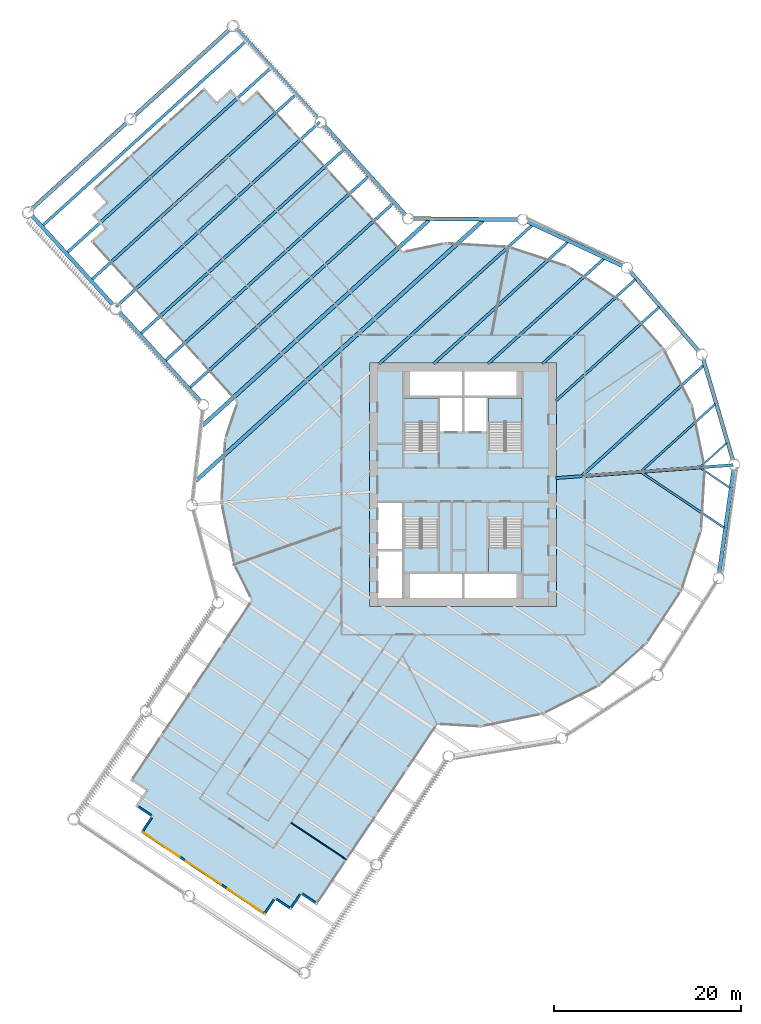
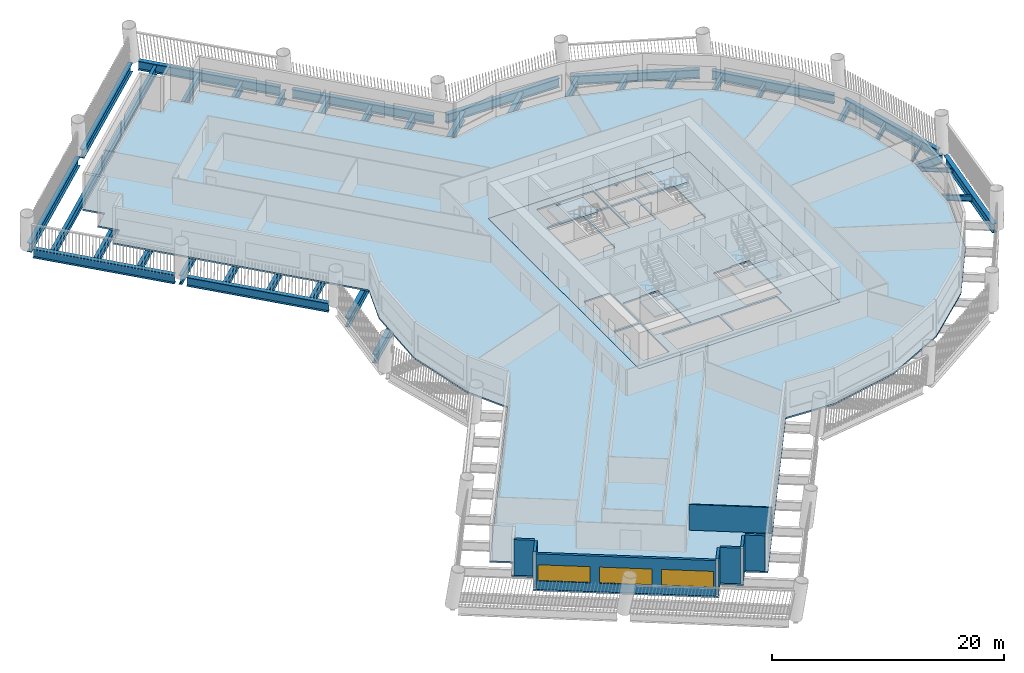
# One storey, part 2 of 15: 31 beams, 8 walls, 6 slabs, 3 windows, 3 openings, 4 elements without a shape of their own.
"""IFC4 building model written with IfcOpenShell, lengths in metres."""

from ifc_helpers import new_model, si_unit, direction, frame, frame_2d, origin, origin_2d, place, context, subcontext, project, spatial, polyline, rectangle, i_section, outline, extrude, material, layer, layer_set, material_profile, profile_set, type_object, element, fill, aggregate, save


model = new_model("IFC4")

# Units and contexts
model_context = context("Model", 3, precision=1e-05, world=origin(), true_north=direction((0.0, 1.0)))
body_context = subcontext(model_context, "Body", "Model", "MODEL_VIEW")
ifc_project = project(units=[si_unit("LENGTHUNIT", "METRE"), si_unit("AREAUNIT", "SQUARE_METRE"), si_unit("VOLUMEUNIT", "CUBIC_METRE"), si_unit("PLANEANGLEUNIT", "RADIAN"), si_unit("MASSUNIT", "GRAM", prefix="KILO")], contexts=[model_context])

# Site, building, storey
site_placement = place(None, origin())
site = spatial("IfcSite", under=ifc_project, at=site_placement, CompositionType="ELEMENT")
building_placement = place(site_placement, origin())
building = spatial("IfcBuilding", under=site, at=building_placement, Name="Tarsis Ring Headquarters", CompositionType="ELEMENT")
storey_placement = place(building_placement, frame((0.0, 0.0, 59.5)))
storey = spatial("IfcBuildingStorey", under=building, at=storey_placement, Name="L12", CompositionType="ELEMENT", Elevation=59.5)

# Beams
ifc_material_1 = material(Name="Structural steel S355", Category="steel")
ifc_material_profile_1 = material_profile(ifc_material_1, i_section(OverallWidth=0.177734375, OverallDepth=0.406494140625, WebThickness=0.0078125, FlangeThickness=0.0126953125, at=origin_2d()), Name="W16x40")
ifc_profile_set_1 = profile_set([ifc_material_profile_1], Name="Structural steel S355")
beam_type_1 = type_object("IfcBeamType", Name="FB Floor beam W16x40", PredefinedType="JOIST", material=ifc_profile_set_1)
for number, where, z_axis, x_axis, name in (
    (1, (25.396484375, 1.771484375, -0.36328125), (0.830984736924, -0.556295215689, 0.0), (0.556295215689, 0.830984736924, 0.0), "Floor beam FB1"),
    (2, (28.15478515625, 4.470947265625, -0.36328125), (-0.740810392553, -0.671714196876, 0.0), (0.671714196876, -0.740810392553, 0.0), "Floor beam FB1"),
):
    element("IfcBeam", number, at=place(storey_placement, frame(where, z_axis=z_axis, x_axis=x_axis)), inside=storey, type_object=beam_type_1, Name=name, PredefinedType="JOIST", context=body_context, shape_type="SweptSolid", body=[
        extrude(i_section(OverallWidth=0.177734375, OverallDepth=0.406494140625, WebThickness=0.0078125, FlangeThickness=0.0126953125, at=origin_2d()), origin(), (0.0, 0.0, 1.0), 3.74169921875),
    ])
ifc_material_profile_2 = material_profile(ifc_material_1, i_section(OverallWidth=0.228271484375, OverallDepth=0.607177734375, WebThickness=0.01123046875, FlangeThickness=0.017333984375, at=origin_2d()), Name="W24x76")
ifc_profile_set_2 = profile_set([ifc_material_profile_2], Name="Structural steel S355")
beam_type_2 = type_object("IfcBeamType", Name="FB Floor beam W24x76", PredefinedType="JOIST", material=ifc_profile_set_2)
for number, where, z_axis, x_axis, name in (
    (3, (19.078857421875, 1.307373046875, -0.463623046875), (0.830991424725, -0.556285225431, 0.0), (0.556285225431, 0.830991424725, 0.0), "Floor beam FB4"),
    (4, (26.93359375, 8.628173828125, -0.463623046875), (-0.740810002689, -0.671714626844, 0.0), (0.671714626844, -0.740810002689, 0.0), "Floor beam FB4"),
):
    element("IfcBeam", number, at=place(storey_placement, frame(where, z_axis=z_axis, x_axis=x_axis)), inside=storey, type_object=beam_type_2, Name=name, PredefinedType="JOIST", context=body_context, shape_type="SweptSolid", body=[
        extrude(i_section(OverallWidth=0.228271484375, OverallDepth=0.607177734375, WebThickness=0.01123046875, FlangeThickness=0.017333984375, at=origin_2d()), origin(), (0.0, 0.0, 1.0), 10.621337890625),
    ])
ifc_material_profile_3 = material_profile(ifc_material_1, i_section(OverallWidth=0.2666015625, OverallDepth=0.7568359375, WebThickness=0.013916015625, FlangeThickness=0.019287109375, at=origin_2d()), Name="W30x108")
ifc_profile_set_3 = profile_set([ifc_material_profile_3], Name="Structural steel S355")
beam_type_3 = type_object("IfcBeamType", Name="FB Floor beam W30x108", PredefinedType="JOIST", material=ifc_profile_set_3)
beam_1_placement = place(storey_placement, frame((20.95947265625, 19.0048828125, -0.538330078125), z_axis=(-0.740800599817, -0.671724996789, 0.0), x_axis=(0.671724996789, -0.740800599817, 0.0)))
element("IfcBeam", 5, at=beam_1_placement, inside=storey, type_object=beam_type_3, Name="Floor beam FB6", PredefinedType="JOIST", context=body_context, shape_type="SweptSolid", body=[
    extrude(i_section(OverallWidth=0.2666015625, OverallDepth=0.7568359375, WebThickness=0.013916015625, FlangeThickness=0.019287109375, at=origin_2d()), origin(), (0.0, 0.0, 1.0), 14.89404296875),
])
beam_2_placement = place(storey_placement, frame((18.414794921875, 21.962158203125, -0.538330078125), z_axis=(-0.740799112116, -0.671726637471, 0.0), x_axis=(0.671726637471, -0.740799112116, 0.0)))
element("IfcBeam", 6, at=beam_2_placement, inside=storey, type_object=beam_type_3, Name="Floor beam FB6", PredefinedType="JOIST", context=body_context, shape_type="SweptSolid", body=[
    extrude(i_section(OverallWidth=0.2666015625, OverallDepth=0.7568359375, WebThickness=0.013916015625, FlangeThickness=0.019287109375, at=origin_2d()), origin(), (0.0, 0.0, 1.0), 13.44189453125),
])
ifc_material_profile_4 = material_profile(ifc_material_1, i_section(OverallWidth=0.2919921875, OverallDepth=0.835693359375, WebThickness=0.013916015625, FlangeThickness=0.018798828125, at=origin_2d()), Name="W33x118")
ifc_profile_set_4 = profile_set([ifc_material_profile_4], Name="Structural steel S355")
beam_type_4 = type_object("IfcBeamType", Name="FB Floor beam W33x118", PredefinedType="JOIST", material=ifc_profile_set_4)
beam_3_placement = place(storey_placement, frame((25.712158203125, 12.785400390625, -0.577880859375), z_axis=(-0.740803624908, -0.671721660602, 0.0), x_axis=(0.671721660602, -0.740803624908, 0.0)))
element("IfcBeam", 7, at=beam_3_placement, inside=storey, type_object=beam_type_4, Name="Floor beam FB7", PredefinedType="JOIST", context=body_context, shape_type="SweptSolid", body=[
    extrude(i_section(OverallWidth=0.2919921875, OverallDepth=0.835693359375, WebThickness=0.013916015625, FlangeThickness=0.018798828125, at=origin_2d()), origin(), (0.0, 0.0, 1.0), 17.500732421875),
])
beam_4_placement = place(storey_placement, frame((15.056396484375, 24.181396484375, -0.577880859375), z_axis=(-0.740807606045, -0.671717270008, 0.0), x_axis=(0.671717270008, -0.740807606045, 0.0)))
element("IfcBeam", 8, at=beam_4_placement, inside=storey, type_object=beam_type_4, Name="Floor beam FB7", PredefinedType="JOIST", context=body_context, shape_type="SweptSolid", body=[
    extrude(i_section(OverallWidth=0.2919921875, OverallDepth=0.835693359375, WebThickness=0.013916015625, FlangeThickness=0.018798828125, at=origin_2d()), origin(), (0.0, 0.0, 1.0), 16.745849609375),
])
ifc_material_profile_5 = material_profile(ifc_material_1, i_section(OverallWidth=0.3046875, OverallDepth=0.904296875, WebThickness=0.01513671875, FlangeThickness=0.02001953125, at=origin_2d()), Name="W36x135")
ifc_profile_set_5 = profile_set([ifc_material_profile_5], Name="Structural steel S355")
beam_type_5 = type_object("IfcBeamType", Name="FB Floor beam W36x135", PredefinedType="JOIST", material=ifc_profile_set_5)
beam_5_placement = place(storey_placement, frame((11.218994140625, 25.96630859375, -0.612060546875), z_axis=(-0.740807706962, -0.67171715871, 0.0), x_axis=(0.67171715871, -0.740807706962, 0.0)))
element("IfcBeam", 9, at=beam_5_placement, inside=storey, type_object=beam_type_5, Name="Floor beam FB8", PredefinedType="JOIST", context=body_context, shape_type="SweptSolid", body=[
    extrude(i_section(OverallWidth=0.3046875, OverallDepth=0.904296875, WebThickness=0.01513671875, FlangeThickness=0.02001953125, at=origin_2d()), origin(), (0.0, 0.0, 1.0), 19.403076171875),
])
ifc_material_profile_6 = material_profile(ifc_material_1, i_section(OverallWidth=0.3046875, OverallDepth=0.91943359375, WebThickness=0.017333984375, FlangeThickness=0.02783203125, at=origin_2d()), Name="W36x170")
ifc_profile_set_6 = profile_set([ifc_material_profile_6], Name="Structural steel S355")
beam_type_6 = type_object("IfcBeamType", Name="FB Floor beam W36x170", PredefinedType="JOIST", material=ifc_profile_set_6)
beam_6_placement = place(storey_placement, frame((7.38134765625, 27.751220703125, -0.61962890625), z_axis=(-0.740802790076, -0.671722581291, 0.0), x_axis=(0.671722581291, -0.740802790076, 0.0)))
element("IfcBeam", 10, at=beam_6_placement, inside=storey, type_object=beam_type_6, Name="Floor beam FB9", PredefinedType="JOIST", context=body_context, shape_type="SweptSolid", body=[
    extrude(i_section(OverallWidth=0.3046875, OverallDepth=0.91943359375, WebThickness=0.017333984375, FlangeThickness=0.02783203125, at=origin_2d()), origin(), (0.0, 0.0, 1.0), 22.060302734375),
])
ifc_material_profile_7 = material_profile(ifc_material_1, i_section(OverallWidth=0.309814453125, OverallDepth=0.949951171875, WebThickness=0.0244140625, FlangeThickness=0.0439453125, at=origin_2d()), Name="W36x256")
ifc_profile_set_7 = profile_set([ifc_material_profile_7], Name="Structural steel S355")
beam_type_7 = type_object("IfcBeamType", Name="FB Floor beam W36x256", PredefinedType="JOIST", material=ifc_profile_set_7)
beam_7_placement = place(storey_placement, frame((-7.45703125, 30.090087890625, -0.635009765625), z_axis=(-0.740807033468, -0.671717901476, 0.0), x_axis=(0.671717901476, -0.740807033468, 0.0)))
element("IfcBeam", 11, at=beam_7_placement, inside=storey, type_object=beam_type_7, Name="Floor beam FB11", PredefinedType="JOIST", context=body_context, shape_type="SweptSolid", body=[
    extrude(i_section(OverallWidth=0.309814453125, OverallDepth=0.949951171875, WebThickness=0.0244140625, FlangeThickness=0.0439453125, at=origin_2d()), origin(), (0.0, 0.0, 1.0), 29.375732421875),
])
for number, where, z_axis, x_axis, name in (
    (12, (-10.076904296875, 32.979248046875, -0.635009765625), (-0.740802897825, -0.67172246246, 0.0), (0.67172246246, -0.740802897825, 0.0), "Floor beam FB11"),
    (13, (-12.696533203125, 35.868408203125, -0.635009765625), (-0.740802897825, -0.67172246246, 0.0), (0.67172246246, -0.740802897825, 0.0), "Floor beam FB11"),
    (14, (-15.316162109375, 38.757568359375, -0.635009765625), (-0.740802897825, -0.67172246246, 0.0), (0.67172246246, -0.740802897825, 0.0), "Floor beam FB11"),
    (15, (-17.93603515625, 41.646728515625, -0.635009765625), (-0.740802897825, -0.67172246246, 0.0), (0.67172246246, -0.740802897825, 0.0), "Floor beam FB11"),
    (16, (-20.5556640625, 44.535888671875, -0.635009765625), (-0.740802897825, -0.67172246246, 0.0), (0.67172246246, -0.740802897825, 0.0), "Floor beam FB11"),
    (17, (-23.17529296875, 47.425048828125, -0.635009765625), (-0.740802897825, -0.67172246246, 0.0), (0.67172246246, -0.740802897825, 0.0), "Floor beam FB11"),
):
    element("IfcBeam", number, at=place(storey_placement, frame(where, z_axis=z_axis, x_axis=x_axis)), inside=storey, type_object=beam_type_7, Name=name, PredefinedType="JOIST", context=body_context, shape_type="SweptSolid", body=[
        extrude(i_section(OverallWidth=0.309814453125, OverallDepth=0.949951171875, WebThickness=0.0244140625, FlangeThickness=0.0439453125, at=origin_2d()), origin(), (0.0, 0.0, 1.0), 29.3759765625),
    ])
beam_type_8 = type_object("IfcBeamType", Name="FB Floor beam W36x256 spine", PredefinedType="BEAM", material=ifc_profile_set_7)
beam_8_placement = place(storey_placement, frame((28.853759765625, 2.118896484375, -0.635009765625), z_axis=(-0.99731448769, -0.07323805462, 0.0), x_axis=(0.07323805462, -0.99731448769, 0.0)))
element("IfcBeam", 18, at=beam_8_placement, inside=storey, type_object=beam_type_8, Name="Floor beam SB11", PredefinedType="BEAM", context=body_context, shape_type="SweptSolid", body=[
    extrude(i_section(OverallWidth=0.309814453125, OverallDepth=0.949951171875, WebThickness=0.0244140625, FlangeThickness=0.0439453125, at=origin_2d()), origin(), (0.0, 0.0, 1.0), 19.00439453125),
])
ifc_material_profile_8 = material_profile(ifc_material_1, i_section(OverallWidth=0.42431640625, OverallDepth=0.947509765625, WebThickness=0.02392578125, FlangeThickness=0.042724609375, at=origin_2d()), Name="W36x302")
ifc_profile_set_8 = profile_set([ifc_material_profile_8], Name="Structural steel S355")
beam_type_9 = type_object("IfcBeamType", Name="FB Floor beam W36x302", PredefinedType="JOIST", material=ifc_profile_set_8)
beam_9_placement = place(storey_placement, frame((2.1044921875, 28.23095703125, -0.6337890625), z_axis=(-0.740802861175, -0.671722502879, 0.0), x_axis=(0.671722502879, -0.740802861175, 0.0)))
element("IfcBeam", 19, at=beam_9_placement, inside=storey, type_object=beam_type_9, Name="Floor beam FB12", PredefinedType="JOIST", context=body_context, shape_type="SweptSolid", body=[
    extrude(i_section(OverallWidth=0.42431640625, OverallDepth=0.947509765625, WebThickness=0.02392578125, FlangeThickness=0.042724609375, at=origin_2d()), origin(), (0.0, 0.0, 1.0), 41.35302734375),
])
beam_10_placement = place(storey_placement, frame((-3.63525390625, 28.291015625, -0.6337890625), z_axis=(-0.740806887566, -0.671718062386, 0.0), x_axis=(0.671718062386, -0.740806887566, 0.0)))
element("IfcBeam", 20, at=beam_10_placement, inside=storey, type_object=beam_type_9, Name="Floor beam FB12", PredefinedType="JOIST", context=body_context, shape_type="SweptSolid", body=[
    extrude(i_section(OverallWidth=0.42431640625, OverallDepth=0.947509765625, WebThickness=0.02392578125, FlangeThickness=0.042724609375, at=origin_2d()), origin(), (0.0, 0.0, 1.0), 32.70458984375),
])
beam_type_10 = type_object("IfcBeamType", Name="XG Ring girder W36x302", PredefinedType="BEAM", material=ifc_profile_set_8)
for number, where, z_axis, x_axis, name in (
    (21, (27.347900390625, -9.459716796875, -0.4736328125), (0.13868992914, 0.990335853918, 0.0), (-0.990335853918, 0.13868992914, 0.0), "Ring girder XG1"),
    (22, (28.81591796875, 2.65380859375, -0.4736328125), (-0.281869990586, 0.959452608734, 0.0), (-0.959452608734, -0.281869990586, 0.0), "Ring girder XG1"),
    (23, (25.16015625, 14.295654296875, -0.4736328125), (-0.652279359145, 0.757978652492, 0.0), (-0.757978652492, -0.652279359145, 0.0), "Ring girder XG1"),
    (24, (17.031005859375, 23.3955078125, -0.4736328125), (-0.906727147114, 0.421717773737, 0.0), (-0.421717773737, -0.906727147114, 0.0), "Ring girder XG1"),
):
    element("IfcBeam", number, at=place(storey_placement, frame(where, z_axis=z_axis, x_axis=x_axis)), inside=storey, type_object=beam_type_10, Name=name, PredefinedType="BEAM", context=body_context, shape_type="SweptSolid", body=[
        extrude(i_section(OverallWidth=0.42431640625, OverallDepth=0.947509765625, WebThickness=0.02392578125, FlangeThickness=0.042724609375, at=origin_2d()), origin(), (0.0, 0.0, 1.0), 11.151611328125),
    ])
beam_11_placement = place(storey_placement, frame((5.87353515625, 28.33544921875, -0.4736328125), z_axis=(-0.99994501451, 0.010486560743, 0.0), x_axis=(-0.010486560743, -0.99994501451, 0.0)))
element("IfcBeam", 25, at=beam_11_placement, inside=storey, type_object=beam_type_10, Name="Ring girder XG1", PredefinedType="BEAM", context=body_context, shape_type="SweptSolid", body=[
    extrude(i_section(OverallWidth=0.42431640625, OverallDepth=0.947509765625, WebThickness=0.02392578125, FlangeThickness=0.042724609375, at=origin_2d()), origin(), (0.0, 0.0, 1.0), 11.15185546875),
])
for number, where, z_axis, x_axis, name in (
    (26, (-6.194580078125, 28.86474609375, -0.4736328125), (-0.671724190388, 0.740801331025, 0.0), (-0.740801331025, -0.671724190388, 0.0), "Ring girder XG1"),
    (27, (-15.532958984375, 39.16357421875, -0.4736328125), (-0.671734653507, 0.74079184342, 0.0), (-0.74079184342, -0.671734653507, 0.0), "Ring girder XG1"),
):
    element("IfcBeam", number, at=place(storey_placement, frame(where, z_axis=z_axis, x_axis=x_axis)), inside=storey, type_object=beam_type_10, Name=name, PredefinedType="BEAM", context=body_context, shape_type="SweptSolid", body=[
        extrude(i_section(OverallWidth=0.42431640625, OverallDepth=0.947509765625, WebThickness=0.02392578125, FlangeThickness=0.042724609375, at=origin_2d()), origin(), (0.0, 0.0, 1.0), 12.804931640625),
    ])
for number, where, z_axis, x_axis, name in (
    (28, (-24.909423828125, 48.6875, -0.4736328125), (-0.740792433968, -0.671734002248, 0.0), (0.671734002248, -0.740792433968, 0.0), "Ring girder XG1"),
    (29, (-35.873291015625, 38.745849609375, -0.4736328125), (-0.740809339167, -0.671715358617, 0.0), (0.671715358617, -0.740809339167, 0.0), "Ring girder XG1"),
):
    element("IfcBeam", number, at=place(storey_placement, frame(where, z_axis=z_axis, x_axis=x_axis)), inside=storey, type_object=beam_type_10, Name=name, PredefinedType="BEAM", context=body_context, shape_type="SweptSolid", body=[
        extrude(i_section(OverallWidth=0.42431640625, OverallDepth=0.947509765625, WebThickness=0.02392578125, FlangeThickness=0.042724609375, at=origin_2d()), origin(), (0.0, 0.0, 1.0), 13.70263671875),
    ])
for number, where, z_axis, x_axis, name in (
    (30, (-46.062255859375, 28.7666015625, -0.4736328125), (0.671714702814, -0.740809933804, 0.0), (0.740809933804, 0.671714702814, 0.0), "Ring girder XG1"),
    (31, (-36.723876953125, 18.4677734375, -0.4736328125), (0.671714702814, -0.740809933804, 0.0), (0.740809933804, 0.671714702814, 0.0), "Ring girder XG1"),
):
    element("IfcBeam", number, at=place(storey_placement, frame(where, z_axis=z_axis, x_axis=x_axis)), inside=storey, type_object=beam_type_10, Name=name, PredefinedType="BEAM", context=body_context, shape_type="SweptSolid", body=[
        extrude(i_section(OverallWidth=0.42431640625, OverallDepth=0.947509765625, WebThickness=0.02392578125, FlangeThickness=0.042724609375, at=origin_2d()), origin(), (0.0, 0.0, 1.0), 12.804931640625),
    ])

# Slab
ifc_material_2 = material(Name="Concrete C40/50", Category="concrete")
ifc_layer_1 = layer(ifc_material_2, 0.159912109375)
ifc_layer_set_1 = layer_set([ifc_layer_1], Name="Core floor slab 160 C40/50")
slab_type_1 = type_object("IfcSlabType", Name="Core floor slab 160 C40/50", PredefinedType="FLOOR", material=ifc_layer_set_1)
slab_1_placement = place(storey_placement, frame((0.0, 0.0, -0.159912109375)))
element("IfcSlab", 32, at=slab_1_placement, inside=storey, type_object=slab_type_1, Name="L12 core floor slab", PredefinedType="FLOOR", context=body_context, shape_type="SweptSolid", body=[
    extrude(outline(polyline([(-10.0, -13.0), (10.0, -13.0), (10.0, 13.0), (-10.0, 13.0), (-10.0, -13.0)]), holes=[polyline([(-2.5, 5.699951171875), (-0.10009765625, 5.699951171875), (-0.10009765625, 9.300048828125), (-2.5, 9.300048828125), (-2.5, 5.699951171875)]), polyline([(0.10009765625, 5.699951171875), (2.5, 5.699951171875), (2.5, 9.300048828125), (0.10009765625, 9.300048828125), (0.10009765625, 5.699951171875)]), polyline([(-9.10009765625, -12.10009765625), (-6.5, -12.10009765625), (-6.5, -7.10009765625), (-9.10009765625, -7.10009765625), (-9.10009765625, -12.10009765625)]), polyline([(-9.10009765625, -6.89990234375), (-6.5, -6.89990234375), (-6.5, -1.89990234375), (-9.10009765625, -1.89990234375), (-9.10009765625, -6.89990234375)]), polyline([(-5.699951171875, 9.5), (-0.10009765625, 9.5), (-0.10009765625, 12.10009765625), (-5.699951171875, 12.10009765625), (-5.699951171875, 9.5)]), polyline([(0.10009765625, 9.5), (5.699951171875, 9.5), (5.699951171875, 12.10009765625), (0.10009765625, 12.10009765625), (0.10009765625, 9.5)]), polyline([(-5.699951171875, -12.10009765625), (-0.10009765625, -12.10009765625), (-0.10009765625, -9.5), (-5.699951171875, -9.5), (-5.699951171875, -12.10009765625)]), polyline([(0.10009765625, -12.10009765625), (5.699951171875, -12.10009765625), (5.699951171875, -9.5), (0.10009765625, -9.5), (0.10009765625, -12.10009765625)]), polyline([(-2.699951171875, 3.760009765625), (-2.699951171875, 9.300048828125), (-6.300048828125, 9.300048828125), (-6.300048828125, 3.659912109375), (-4.4599609375, 3.659912109375), (-4.4599609375, 3.760009765625), (-2.699951171875, 3.760009765625)]), polyline([(6.300048828125, 3.760009765625), (6.300048828125, 9.300048828125), (2.699951171875, 9.300048828125), (2.699951171875, 3.659912109375), (4.5400390625, 3.659912109375), (4.5400390625, 3.760009765625), (6.300048828125, 3.760009765625)]), polyline([(-6.300048828125, -3.760009765625), (-6.300048828125, -9.300048828125), (-2.699951171875, -9.300048828125), (-2.699951171875, -3.659912109375), (-4.5400390625, -3.659912109375), (-4.5400390625, -3.760009765625), (-6.300048828125, -3.760009765625)]), polyline([(2.699951171875, -3.760009765625), (2.699951171875, -9.300048828125), (6.300048828125, -9.300048828125), (6.300048828125, -3.659912109375), (4.4599609375, -3.659912109375), (4.4599609375, -3.760009765625), (2.699951171875, -3.760009765625)])]), origin(), (0.0, 0.0, 1.0), 0.159912109375),
])

# Stair, slab
ifc_material_3 = material(Name="Core stair 1760")
stair_type = type_object("IfcStairType", Name="Core stair 1760", PredefinedType="HALF_TURN_STAIR", material=ifc_material_3)
stair_1_placement = place(storey_placement, origin())
stair_1 = element("IfcStair", 33, at=stair_1_placement, inside=storey, type_object=stair_type, Name="L12 Firefighting stair", PredefinedType="HALF_TURN_STAIR")
ifc_layer_2 = layer(ifc_material_2, 0.199951171875)
ifc_layer_set_2 = layer_set([ifc_layer_2], Name="Core stair landing 200")
slab_type_2 = type_object("IfcSlabType", Name="Core stair landing 200", PredefinedType="LANDING", material=ifc_layer_set_2)
slab_2_placement = place(storey_placement, frame((0.0, 0.0, 1.75)))
slab_2 = element("IfcSlab", 34, at=slab_2_placement, type_object=slab_type_2, Name="Stair ST1 landing 1", PredefinedType="LANDING", context=body_context, shape_type="SweptSolid", body=[
    extrude(outline(polyline([(-2.699951171875, 6.739990234375), (-2.699951171875, 9.300048828125), (-6.300048828125, 9.300048828125), (-6.300048828125, 6.739990234375), (-2.699951171875, 6.739990234375)])), origin(), (0.0, 0.0, 1.0), 0.199951171875),
])
aggregate(stair_1, [slab_2])

stair_2_placement = place(storey_placement, origin())
stair_2 = element("IfcStair", 35, at=stair_2_placement, inside=storey, type_object=stair_type, Name="L12 Exit stair B", PredefinedType="HALF_TURN_STAIR")
slab_3_placement = place(storey_placement, frame((0.0, 0.0, 1.75)))
slab_3 = element("IfcSlab", 36, at=slab_3_placement, type_object=slab_type_2, Name="Stair ST2 landing 1", PredefinedType="LANDING", context=body_context, shape_type="SweptSolid", body=[
    extrude(outline(polyline([(6.300048828125, 6.739990234375), (6.300048828125, 9.300048828125), (2.699951171875, 9.300048828125), (2.699951171875, 6.739990234375), (6.300048828125, 6.739990234375)])), origin(), (0.0, 0.0, 1.0), 0.199951171875),
])
aggregate(stair_2, [slab_3])

stair_3_placement = place(storey_placement, origin())
stair_3 = element("IfcStair", 37, at=stair_3_placement, inside=storey, type_object=stair_type, Name="L12 Exit stair C", PredefinedType="HALF_TURN_STAIR")
slab_4_placement = place(storey_placement, frame((0.0, 0.0, 1.75)))
slab_4 = element("IfcSlab", 38, at=slab_4_placement, type_object=slab_type_2, Name="Stair ST3 landing 1", PredefinedType="LANDING", context=body_context, shape_type="SweptSolid", body=[
    extrude(outline(polyline([(-6.300048828125, -6.739990234375), (-6.300048828125, -9.300048828125), (-2.699951171875, -9.300048828125), (-2.699951171875, -6.739990234375), (-6.300048828125, -6.739990234375)])), origin(), (0.0, 0.0, 1.0), 0.199951171875),
])
aggregate(stair_3, [slab_4])

stair_4_placement = place(storey_placement, origin())
stair_4 = element("IfcStair", 39, at=stair_4_placement, inside=storey, type_object=stair_type, Name="L12 Exit stair D", PredefinedType="HALF_TURN_STAIR")
slab_5_placement = place(storey_placement, frame((0.0, 0.0, 1.75)))
slab_5 = element("IfcSlab", 40, at=slab_5_placement, type_object=slab_type_2, Name="Stair ST4 landing 1", PredefinedType="LANDING", context=body_context, shape_type="SweptSolid", body=[
    extrude(outline(polyline([(2.699951171875, -6.739990234375), (2.699951171875, -9.300048828125), (6.300048828125, -9.300048828125), (6.300048828125, -6.739990234375), (2.699951171875, -6.739990234375)])), origin(), (0.0, 0.0, 1.0), 0.199951171875),
])
aggregate(stair_4, [slab_5])

# Slab
ifc_material_4 = material(Name="Concrete C35/45", Category="concrete")
ifc_layer_3 = layer(ifc_material_4, 0.159912109375)
ifc_layer_set_3 = layer_set([ifc_layer_3], Name="FS Composite floor slab 160")
slab_type_3 = type_object("IfcSlabType", Name="FS Composite floor slab 160", PredefinedType="FLOOR", material=ifc_layer_set_3)
slab_6_placement = place(storey_placement, frame((0.0, 0.0, -0.159912109375)))
element("IfcSlab", 41, at=slab_6_placement, inside=storey, type_object=slab_type_3, Name="Floor slab L12", PredefinedType="FLOOR", context=body_context, shape_type="SweptSolid", body=[
    extrude(outline(polyline([(-24.2236328125, 8.850341796875), (-25.53955078125, 4.871826171875), (-25.93017578125, -1.904296875), (-24.5537109375, -8.550537109375), (-22.6708984375, -12.294189453125), (-35.5615234375, -31.5498046875), (-33.8994140625, -32.662353515625), (-35.011962890625, -34.32421875), (-33.35009765625, -35.43701171875), (-34.462646484375, -37.098876953125), (-21.1669921875, -45.99951171875), (-20.05419921875, -44.337646484375), (-18.392333984375, -45.4501953125), (-17.27978515625, -43.788330078125), (-15.61767578125, -44.90087890625), (-2.73876953125, -25.662353515625), (1.904296875, -25.93017578125), (8.550537109375, -24.5537109375), (14.6142578125, -21.504150390625), (19.681884765625, -16.989013671875), (23.408203125, -11.31591796875), (25.53955078125, -4.871826171875), (25.93017578125, 1.904296875), (24.5537109375, 8.550537109375), (21.504150390625, 14.6142578125), (16.989013671875, 19.681884765625), (11.31591796875, 23.408203125), (4.871826171875, 25.53955078125), (-1.904296875, 25.93017578125), (-6.458251953125, 24.987060546875), (-22.009521484375, 42.1376953125), (-23.4912109375, 40.794189453125), (-24.83447265625, 42.27587890625), (-26.316162109375, 40.932373046875), (-27.65966796875, 42.4140625), (-39.512451171875, 31.66650390625), (-38.1689453125, 30.184814453125), (-39.650634765625, 28.84130859375), (-38.30712890625, 27.35986328125), (-39.788818359375, 26.016357421875), (-24.2236328125, 8.850341796875)]), holes=[polyline([(-10.0, -13.0), (-10.0, 13.0), (10.0, 13.0), (10.0, -13.0), (-10.0, -13.0)])]), origin(), (0.0, 0.0, 1.0), 0.159912109375),
])

# Walls
ifc_material_5 = material(Name="Gypsum board on steel studs", Category="steel")
ifc_layer_4 = layer(ifc_material_5, 0.10009765625)
ifc_layer_set_4 = layer_set([ifc_layer_4], Name="FL partition 100 unrated")
wall_type_1 = type_object("IfcWallType", Name="FL partition 100 unrated", PredefinedType="PARTITIONING", material=ifc_layer_set_4)
wall_1_placement = place(storey_placement, frame((-18.36328125, -36.09521484375, 0.0), z_axis=(0.0, 0.0, 1.0), x_axis=(0.830984627552, -0.556295379068, 0.0)))
element("IfcWall", 42, at=wall_1_placement, inside=storey, type_object=wall_type_1, Name="Partition PW3", PredefinedType="PARTITIONING", context=body_context, shape_type="SweptSolid", body=[
    extrude(rectangle(XDim=7.1298828125, YDim=0.10009765625, at=frame_2d((3.56494140625, 0.0))), origin(), (0.0, 0.0, 1.0), 2.699951171875),
])
ifc_material_6 = material(Name="Terracotta clad insulated panel wall", Category="masonry")
ifc_layer_5 = layer(ifc_material_6, 0.25)
ifc_layer_set_5 = layer_set([ifc_layer_5], Name="Facade wall terracotta panel 250")
wall_type_2 = type_object("IfcWallType", Name="Facade wall terracotta panel 250", PredefinedType="STANDARD", material=ifc_layer_set_5)
wall_2_placement = place(storey_placement, frame((-34.73486328125, -34.359619140625, 0.0), z_axis=(0.0, 0.0, 1.0), x_axis=(0.831040179262, -0.556212387899, 0.0)))
element("IfcWall", 43, at=wall_2_placement, inside=storey, type_object=wall_type_2, Name="External wall L12-09", PredefinedType="STANDARD", context=body_context, shape_type="SweptSolid", body=[
    extrude(rectangle(XDim=1.75, YDim=0.25, at=frame_2d((0.875, 0.0))), origin(), (0.0, 0.0, 1.0), 3.739990234375),
])
wall_3_placement = place(storey_placement, frame((-33.24609375, -35.50634765625, 0.0), z_axis=(0.0, 0.0, 1.0), x_axis=(-0.556308723745, -0.830975693919, 0.0)))
element("IfcWall", 44, at=wall_3_placement, inside=storey, type_object=wall_type_2, Name="External wall L12-10", PredefinedType="STANDARD", context=body_context, shape_type="SweptSolid", body=[
    extrude(rectangle(XDim=1.750244140625, YDim=0.25, at=frame_2d((0.875, 0.0))), origin(), (0.0, 0.0, 1.0), 3.739990234375),
])

# Wall, openings, windows
wall_4_placement = place(storey_placement, frame((-34.185302734375, -37.134033203125, 0.0), z_axis=(0.0, 0.0, 1.0), x_axis=(0.83098252668, -0.556298517302, 0.0)))
wall_4 = element("IfcWall", 45, at=wall_4_placement, inside=storey, type_object=wall_type_2, Name="External wall L12-11", PredefinedType="STANDARD", context=body_context, shape_type="SweptSolid", body=[
    extrude(rectangle(XDim=15.499755859375, YDim=0.25, at=frame_2d((7.75, 0.0))), origin(), (0.0, 0.0, 1.0), 3.739990234375),
])
opening_1_placement = place(wall_4_placement, frame((0.166748046875, 0.0, 0.89990234375)))
opening_1 = element("IfcOpeningElement", 46, at=opening_1_placement, cuts=wall_4, Name="Opening WN04", PredefinedType="OPENING", context=body_context, shape_type="SweptSolid", body=[
    extrude(rectangle(XDim=4.5, YDim=1.699951171875, at=frame_2d((2.25, 0.85009765625))), frame((0.0, 0.135009765625, 0.0), z_axis=(0.0, -1.0, 0.0), x_axis=(1.0, 0.0, 0.0)), (0.0, 0.0, 1.0), 0.27001953125),
])
opening_2_placement = place(wall_4_placement, frame((5.5, 0.0, 0.89990234375)))
opening_2 = element("IfcOpeningElement", 47, at=opening_2_placement, cuts=wall_4, Name="Opening WN04", PredefinedType="OPENING", context=body_context, shape_type="SweptSolid", body=[
    extrude(rectangle(XDim=4.5, YDim=1.699951171875, at=frame_2d((2.25, 0.85009765625))), frame((0.0, 0.135009765625, 0.0), z_axis=(0.0, -1.0, 0.0), x_axis=(1.0, 0.0, 0.0)), (0.0, 0.0, 1.0), 0.27001953125),
])
opening_3_placement = place(wall_4_placement, frame((10.833251953125, 0.0, 0.89990234375)))
opening_3 = element("IfcOpeningElement", 48, at=opening_3_placement, cuts=wall_4, Name="Opening WN04", PredefinedType="OPENING", context=body_context, shape_type="SweptSolid", body=[
    extrude(rectangle(XDim=4.5, YDim=1.699951171875, at=frame_2d((2.25, 0.85009765625))), frame((0.0, 0.135009765625, 0.0), z_axis=(0.0, -1.0, 0.0), x_axis=(1.0, 0.0, 0.0)), (0.0, 0.0, 1.0), 0.27001953125),
])
ifc_material_7 = material(Name="Aluminium framed double glazing", Category="aluminium")
window_type = type_object("IfcWindowType", Name="Facade window 4500 x 1700", PartitioningType="SINGLE_PANEL", PredefinedType="WINDOW", material=ifc_material_7)
window_1_placement = place(opening_1_placement, origin())
window_1 = element("IfcWindow", 49, at=window_1_placement, inside=storey, type_object=window_type, Name="Window L12-11.1", OverallHeight=1.699951171875, OverallWidth=4.5, PartitioningType="SINGLE_PANEL", PredefinedType="WINDOW", context=body_context, shape_type="SweptSolid", body=[
    extrude(rectangle(XDim=4.5, YDim=1.699951171875, at=frame_2d((2.25, 0.85009765625))), frame((0.0, 0.030029296875, 0.0), z_axis=(0.0, -1.0, 0.0), x_axis=(1.0, 0.0, 0.0)), (0.0, 0.0, 1.0), 0.06005859375),
])
fill(opening_1, window_1)
window_2_placement = place(opening_2_placement, origin())
window_2 = element("IfcWindow", 50, at=window_2_placement, inside=storey, type_object=window_type, Name="Window L12-11.2", OverallHeight=1.699951171875, OverallWidth=4.5, PartitioningType="SINGLE_PANEL", PredefinedType="WINDOW", context=body_context, shape_type="SweptSolid", body=[
    extrude(rectangle(XDim=4.5, YDim=1.699951171875, at=frame_2d((2.25, 0.85009765625))), frame((0.0, 0.030029296875, 0.0), z_axis=(0.0, -1.0, 0.0), x_axis=(1.0, 0.0, 0.0)), (0.0, 0.0, 1.0), 0.06005859375),
])
fill(opening_2, window_2)
window_3_placement = place(opening_3_placement, origin())
window_3 = element("IfcWindow", 51, at=window_3_placement, inside=storey, type_object=window_type, Name="Window L12-11.3", OverallHeight=1.699951171875, OverallWidth=4.5, PartitioningType="SINGLE_PANEL", PredefinedType="WINDOW", context=body_context, shape_type="SweptSolid", body=[
    extrude(rectangle(XDim=4.5, YDim=1.699951171875, at=frame_2d((2.25, 0.85009765625))), frame((0.0, 0.030029296875, 0.0), z_axis=(0.0, -1.0, 0.0), x_axis=(1.0, 0.0, 0.0)), (0.0, 0.0, 1.0), 0.06005859375),
])
fill(opening_3, window_3)

# Walls
wall_5_placement = place(storey_placement, frame((-21.131591796875, -45.722412109375, 0.0), z_axis=(0.0, 0.0, 1.0), x_axis=(0.556212387899, 0.831040179262, 0.0)))
element("IfcWall", 52, at=wall_5_placement, inside=storey, type_object=wall_type_2, Name="External wall L12-12", PredefinedType="STANDARD", context=body_context, shape_type="SweptSolid", body=[
    extrude(rectangle(XDim=1.75, YDim=0.25, at=frame_2d((0.875, 0.0))), origin(), (0.0, 0.0, 1.0), 3.739990234375),
])
wall_6_placement = place(storey_placement, frame((-19.98486328125, -44.233642578125, 0.0), z_axis=(0.0, 0.0, 1.0), x_axis=(0.830975693919, -0.556308723745, 0.0)))
element("IfcWall", 53, at=wall_6_placement, inside=storey, type_object=wall_type_2, Name="External wall L12-13", PredefinedType="STANDARD", context=body_context, shape_type="SweptSolid", body=[
    extrude(rectangle(XDim=1.750244140625, YDim=0.25, at=frame_2d((0.875, 0.0))), origin(), (0.0, 0.0, 1.0), 3.739990234375),
])
for number, where, z_axis, x_axis, name in (
    (54, (-18.357177734375, -45.1728515625, 0.0), (0.0, 0.0, 1.0), (0.556373215467, 0.830932515377, 0.0), "External wall L12-14"),
    (55, (-17.210205078125, -43.684326171875, 0.0), (0.0, 0.0, 1.0), (0.830932515377, -0.556373215467, 0.0), "External wall L12-15"),
):
    element("IfcWall", number, at=place(storey_placement, frame(where, z_axis=z_axis, x_axis=x_axis)), inside=storey, type_object=wall_type_2, Name=name, PredefinedType="STANDARD", context=body_context, shape_type="SweptSolid", body=[
        extrude(rectangle(XDim=1.75, YDim=0.25, at=frame_2d((0.875, 0.0))), origin(), (0.0, 0.0, 1.0), 3.739990234375),
    ])

save(model, "model.ifc")
